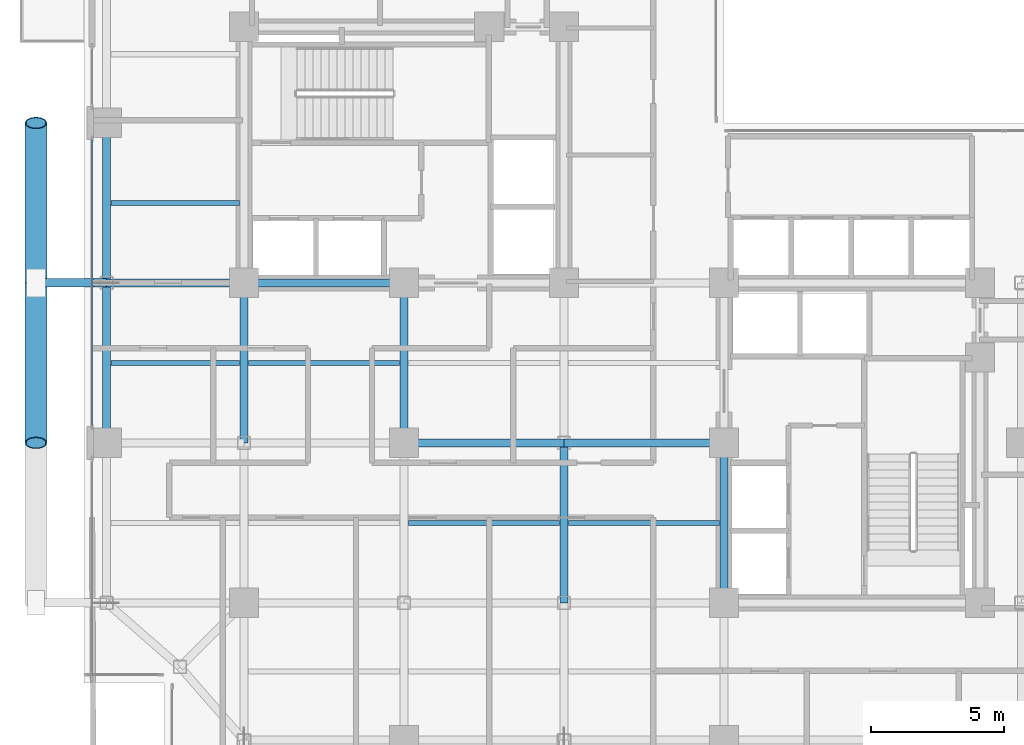
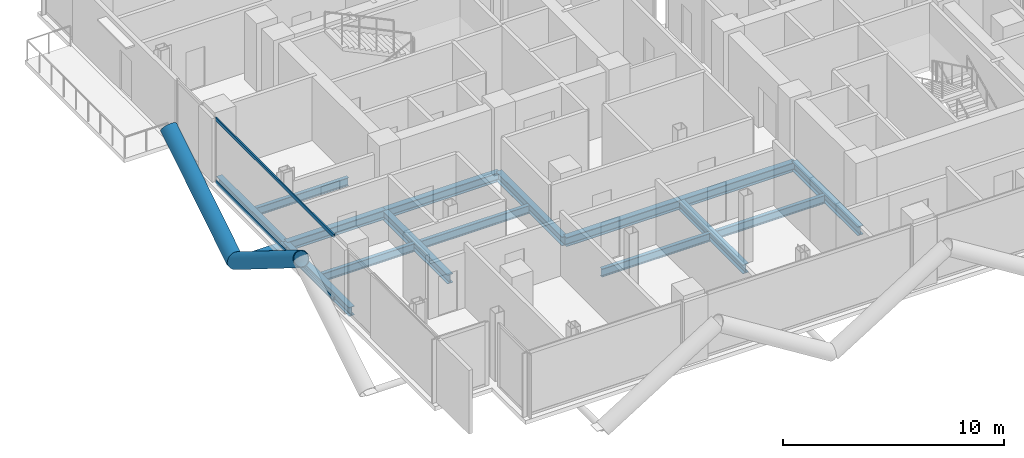
# One storey, part 6 of 28: 15 beams, 5 members, 1 element without a shape of its own.
"""IFC4 building model written with IfcOpenShell, lengths in metres."""

from ifc_helpers import new_model, si_unit, direction, frame, origin, origin_2d, place, context, subcontext, project, spatial, hollow_rectangle, hollow_circle, i_section, extrude, material, layer, layer_set, material_profile, profile_set, type_object, element, aggregate, save


model = new_model("IFC4")

# Units and contexts
model_context = context("Model", 3, precision=1e-05, world=origin(), true_north=direction((0.0, 1.0)))
body_context = subcontext(model_context, "Body", "Model", "MODEL_VIEW")
ifc_project = project(units=[si_unit("LENGTHUNIT", "METRE"), si_unit("AREAUNIT", "SQUARE_METRE"), si_unit("VOLUMEUNIT", "CUBIC_METRE"), si_unit("PLANEANGLEUNIT", "RADIAN"), si_unit("MASSUNIT", "GRAM", prefix="KILO"), si_unit("THERMODYNAMICTEMPERATUREUNIT", "KELVIN"), si_unit("POWERUNIT", "WATT")], contexts=[model_context])

# Site, building, storey
site_placement = place(None, origin())
site = spatial("IfcSite", under=ifc_project, at=site_placement, CompositionType="ELEMENT")
building_placement = place(site_placement, origin())
building = spatial("IfcBuilding", under=site, at=building_placement, Name="Svarakhadi Broadcast Tower", CompositionType="ELEMENT")
storey_placement = place(building_placement, frame((0.0, 0.0, 119.39990234375)))
storey = spatial("IfcBuildingStorey", under=building, at=storey_placement, Name="L28", CompositionType="ELEMENT", Elevation=119.39990234375)

# Beams
ifc_material_1 = material(Name="Steel S355J2 (IS 2062 E350C)", Category="steel")
ifc_material_profile_1 = material_profile(ifc_material_1, i_section(OverallWidth=0.18994140625, OverallDepth=0.449951171875, WebThickness=0.009521484375, FlangeThickness=0.0146484375, FilletRadius=0.02099609375, at=origin_2d()), Name="NPB 450x190x78")
ifc_profile_set_1 = profile_set([ifc_material_profile_1], Name="Steel S355J2 (IS 2062 E350C)")
beam_type_1 = type_object("IfcBeamType", Name="Beam_NPB450", PredefinedType="BEAM", material=ifc_profile_set_1)
for number, where, z_axis, x_axis, name in (
    (1, (1.010009765625, 15.0, -0.449951171875), (1.0, 0.0, 0.0), (0.0, 1.0, 0.0), "L28 Secondary Composite Beam SB002"),
    (2, (1.010009765625, 21.0, -0.449951171875), (1.0, 0.0, 0.0), (0.0, 1.0, 0.0), "L28 Secondary Composite Beam SB003"),
):
    element("IfcBeam", number, at=place(storey_placement, frame(where, z_axis=z_axis, x_axis=x_axis)), inside=storey, type_object=beam_type_1, Name=name, PredefinedType="BEAM", context=body_context, shape_type="SweptSolid", body=[
        extrude(i_section(OverallWidth=0.18994140625, OverallDepth=0.449951171875, WebThickness=0.009521484375, FlangeThickness=0.0146484375, FilletRadius=0.02099609375, at=origin_2d()), origin(), (0.0, 0.0, 1.0), 4.830078125),
    ])
for number, where, z_axis, x_axis, name in (
    (3, (6.159912109375, 15.0, -0.449951171875), (1.0, 0.0, 0.0), (0.0, 1.0, 0.0), "L28 Secondary Composite Beam SB008"),
    (4, (12.159912109375, 9.0, -0.449951171875), (1.0, 0.0, 0.0), (0.0, 1.0, 0.0), "L28 Secondary Composite Beam SB012"),
    (5, (18.159912109375, 9.0, -0.449951171875), (1.0, 0.0, 0.0), (0.0, 1.0, 0.0), "L28 Secondary Composite Beam SB017"),
):
    element("IfcBeam", number, at=place(storey_placement, frame(where, z_axis=z_axis, x_axis=x_axis)), inside=storey, type_object=beam_type_1, Name=name, PredefinedType="BEAM", context=body_context, shape_type="SweptSolid", body=[
        extrude(i_section(OverallWidth=0.18994140625, OverallDepth=0.449951171875, WebThickness=0.009521484375, FlangeThickness=0.0146484375, FilletRadius=0.02099609375, at=origin_2d()), origin(), (0.0, 0.0, 1.0), 5.68017578125),
    ])

# Curtain wall, members
ifc_material_2 = material(Name="Anodised Bronze Aluminium AA 6063-T6", Category="aluminium")
ifc_layer = layer(ifc_material_2, 0.199951171875)
ifc_layer_set = layer_set([ifc_layer], Name="Anodised Bronze Aluminium AA 6063-T6")
curtain_wall_type = type_object("IfcCurtainWallType", Name="CW_Sys_03", PredefinedType="NOTDEFINED", material=ifc_layer_set)
curtain_wall_placement = place(storey_placement, origin())
curtain_wall = element("IfcCurtainWall", 6, at=curtain_wall_placement, inside=storey, type_object=curtain_wall_type, Name="L28 West Curtain Wall 02 Bay 2", PredefinedType="NOTDEFINED")
ifc_material_profile_2 = material_profile(ifc_material_2, hollow_rectangle(XDim=0.070068359375, YDim=0.18505859375, WallThickness=0.0048828125, at=origin_2d()), Name="ALU TRANSOM 185x70x5")
ifc_profile_set_2 = profile_set([ifc_material_profile_2], Name="Anodised Bronze Aluminium AA 6063-T6")
member_type_1 = type_object("IfcMemberType", Name="CW_Sys_03_Trn", PredefinedType="USERDEFINED", material=ifc_profile_set_2)
member_1_placement = place(storey_placement, frame((0.300048828125, 12.64501953125, 0.03515625), z_axis=(0.0, 1.0, 0.0), x_axis=(-1.0, 0.0, 0.0)))
member_1 = element("IfcMember", 7, at=member_1_placement, type_object=member_type_1, Name="CW-03 transom 1.1", ObjectType="TRANSOM", PredefinedType="USERDEFINED", context=body_context, shape_type="SweptSolid", body=[
    extrude(hollow_rectangle(XDim=0.070068359375, YDim=0.18505859375, WallThickness=0.0048828125, at=origin_2d()), origin(), (0.0, 0.0, 1.0), 10.7099609375),
])
member_2_placement = place(storey_placement, frame((0.300048828125, 12.64501953125, 3.489990234375), z_axis=(0.0, 1.0, 0.0), x_axis=(-1.0, 0.0, 0.0)))
member_2 = element("IfcMember", 8, at=member_2_placement, type_object=member_type_1, Name="CW-03 transom 1.2", ObjectType="TRANSOM", PredefinedType="USERDEFINED", context=body_context, shape_type="SweptSolid", body=[
    extrude(hollow_rectangle(XDim=0.070068359375, YDim=0.18505859375, WallThickness=0.0048828125, at=origin_2d()), origin(), (0.0, 0.0, 1.0), 10.7099609375),
])
aggregate(curtain_wall, [member_1, member_2])

# Members
ifc_material_3 = material(Name="Steel S460ML (IS 2062 E450BR)", Category="steel")
ifc_material_profile_3 = material_profile(ifc_material_3, hollow_circle(Radius=0.406494140625, WallThickness=0.0400390625, at=origin_2d()), Name="CHS 813x40")
ifc_profile_set_3 = profile_set([ifc_material_profile_3], Name="Steel S460ML (IS 2062 E450BR)")
member_type_2 = type_object("IfcMemberType", Name="Exo_Brace_CHS813", PredefinedType="BRACE", material=ifc_profile_set_3)
for number, where, z_axis, x_axis, name in (
    (9, (-1.800048828125, 18.0, -0.386962890625), (0.0, -0.847998304005, 0.529998940003), (1.0, 0.0, 0.0), "L28 Exposed Bronze Exoskeleton Diagonal W06"),
    (10, (-1.800048828125, 18.0, -0.386962890625), (0.0, 0.847998304005, 0.529998940003), (-1.0, 0.0, 0.0), "L28 Exposed Bronze Exoskeleton Diagonal W07"),
):
    element("IfcMember", number, at=place(storey_placement, frame(where, z_axis=z_axis, x_axis=x_axis)), inside=storey, type_object=member_type_2, Name=name, PredefinedType="BRACE", context=body_context, shape_type="SweptSolid", body=[
        extrude(hollow_circle(Radius=0.406494140625, WallThickness=0.0400390625, at=origin_2d()), origin(), (0.0, 0.0, 1.0), 7.075439453125),
    ])
ifc_material_profile_4 = material_profile(ifc_material_3, hollow_circle(Radius=0.161865234375, WallThickness=0.01611328125, at=origin_2d()), Name="CHS 323.9x16")
ifc_profile_set_4 = profile_set([ifc_material_profile_4], Name="Steel S460ML (IS 2062 E450BR)")
member_type_3 = type_object("IfcMemberType", Name="Exo_Radial_Strut_Z2", PredefinedType="STRUT", material=ifc_profile_set_4)
member_3_placement = place(storey_placement, frame((-1.800048828125, 18.0, -0.386962890625), z_axis=(1.0, 0.0, 0.0), x_axis=(0.0, 1.0, 0.0)))
element("IfcMember", 11, at=member_3_placement, inside=storey, type_object=member_type_3, Name="L28 Exoskeleton Radial Tie Strut W06", PredefinedType="STRUT", context=body_context, shape_type="SweptSolid", body=[
    extrude(hollow_circle(Radius=0.161865234375, WallThickness=0.01611328125, at=origin_2d()), origin(), (0.0, 0.0, 1.0), 2.650146484375),
])

# Beams
ifc_material_profile_5 = material_profile(ifc_material_1, i_section(OverallWidth=0.300048828125, OverallDepth=0.5, WebThickness=0.014404296875, FlangeThickness=0.028076171875, FilletRadius=0.027099609375, at=origin_2d()), Name="WPB 500x300x187")
ifc_profile_set_5 = profile_set([ifc_material_profile_5], Name="Steel S355J2 (IS 2062 E350C)")
beam_type_2 = type_object("IfcBeamType", Name="Girder_WPB500", PredefinedType="USERDEFINED", material=ifc_profile_set_5)
for number, where, z_axis, x_axis, name in (
    (12, (12.0, 12.0, -0.474853515625), (1.0, 0.0, 0.0), (0.0, 1.0, 0.0), "L28 Primary E-W Girder G019"),
    (13, (18.0, 12.0, -0.474853515625), (1.0, 0.0, 0.0), (0.0, 1.0, 0.0), "L28 Primary E-W Girder G020"),
):
    element("IfcBeam", number, at=place(storey_placement, frame(where, z_axis=z_axis, x_axis=x_axis)), inside=storey, type_object=beam_type_2, Name=name, ObjectType="GIRDER", PredefinedType="USERDEFINED", context=body_context, shape_type="SweptSolid", body=[
        extrude(i_section(OverallWidth=0.300048828125, OverallDepth=0.5, WebThickness=0.014404296875, FlangeThickness=0.028076171875, FilletRadius=0.027099609375, at=origin_2d()), origin(), (0.0, 0.0, 1.0), 6.0),
    ])
beam_placement = place(storey_placement, frame((0.85009765625, 18.0, -0.474853515625), z_axis=(1.0, 0.0, 0.0), x_axis=(0.0, 1.0, 0.0)))
element("IfcBeam", 14, at=beam_placement, inside=storey, type_object=beam_type_2, Name="L28 Primary E-W Girder G023", ObjectType="GIRDER", PredefinedType="USERDEFINED", context=body_context, shape_type="SweptSolid", body=[
    extrude(i_section(OverallWidth=0.300048828125, OverallDepth=0.5, WebThickness=0.014404296875, FlangeThickness=0.028076171875, FilletRadius=0.027099609375, at=origin_2d()), origin(), (0.0, 0.0, 1.0), 5.14990234375),
])
for number, where, z_axis, x_axis, name in (
    (15, (6.0, 18.0, -0.474853515625), (1.0, 0.0, 0.0), (0.0, 1.0, 0.0), "L28 Primary E-W Girder G024"),
    (16, (0.85009765625, 12.0, -0.474853515625), (0.0, 1.0, 0.0), (-1.0, 0.0, 0.0), "L28 Primary N-S Girder G041"),
    (17, (0.85009765625, 18.0, -0.474853515625), (0.0, 1.0, 0.0), (-1.0, 0.0, 0.0), "L28 Primary N-S Girder G042"),
    (18, (6.0, 12.0, -0.474853515625), (0.0, 1.0, 0.0), (-1.0, 0.0, 0.0), "L28 Primary N-S Girder G047"),
    (19, (12.0, 12.0, -0.474853515625), (0.0, 1.0, 0.0), (-1.0, 0.0, 0.0), "L28 Primary N-S Girder G053"),
    (20, (18.0, 6.0, -0.474853515625), (0.0, 1.0, 0.0), (-1.0, 0.0, 0.0), "L28 Primary N-S Girder G057"),
    (21, (24.0, 6.0, -0.474853515625), (0.0, 1.0, 0.0), (-1.0, 0.0, 0.0), "L28 Primary N-S Girder G063"),
):
    element("IfcBeam", number, at=place(storey_placement, frame(where, z_axis=z_axis, x_axis=x_axis)), inside=storey, type_object=beam_type_2, Name=name, ObjectType="GIRDER", PredefinedType="USERDEFINED", context=body_context, shape_type="SweptSolid", body=[
        extrude(i_section(OverallWidth=0.300048828125, OverallDepth=0.5, WebThickness=0.014404296875, FlangeThickness=0.028076171875, FilletRadius=0.027099609375, at=origin_2d()), origin(), (0.0, 0.0, 1.0), 6.0),
    ])

save(model, "model.ifc")
